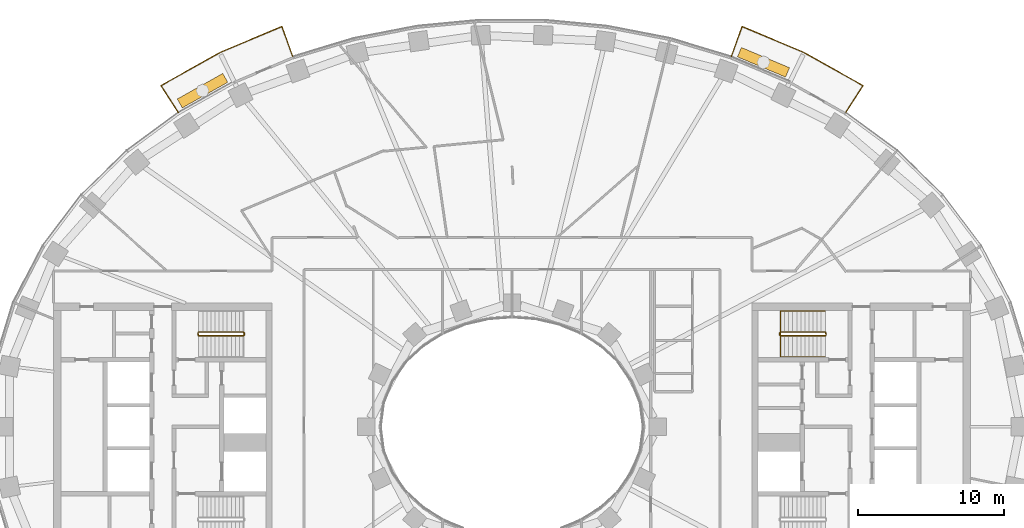
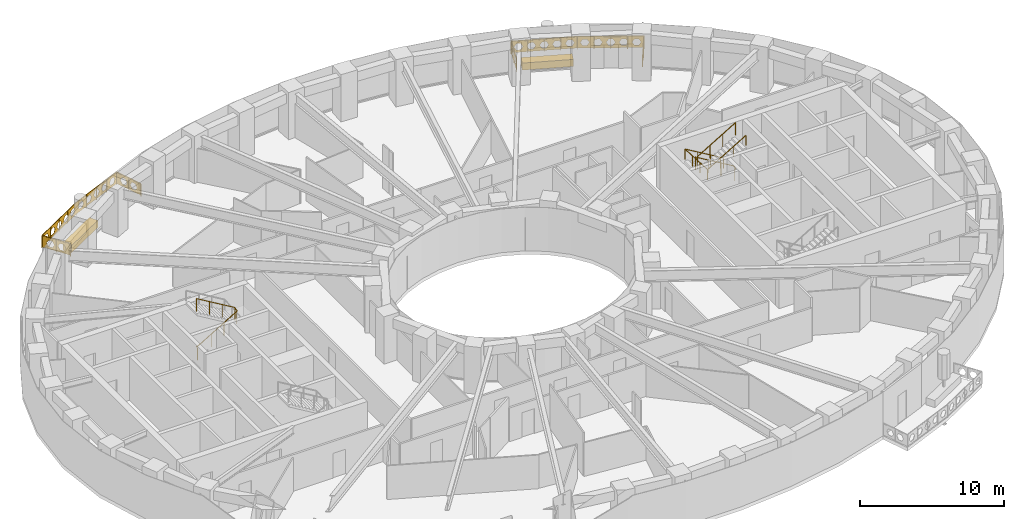
# One storey, part 14 of 15: 5 railings, 2 coverings.
"""IFC4 building model written with IfcOpenShell, lengths in metres."""

from ifc_helpers import new_model, si_unit, direction, frame, origin, origin_2d, place, context, subcontext, project, spatial, polyline, rectangle, outline, extrude, material, type_object, element, save


model = new_model("IFC4")

# Units and contexts
model_context = context("Model", 3, precision=1e-05, world=origin(), true_north=direction((0.0, 1.0)))
body_context = subcontext(model_context, "Body", "Model", "MODEL_VIEW")
ifc_project = project(units=[si_unit("LENGTHUNIT", "METRE"), si_unit("AREAUNIT", "SQUARE_METRE"), si_unit("VOLUMEUNIT", "CUBIC_METRE"), si_unit("PLANEANGLEUNIT", "RADIAN"), si_unit("MASSUNIT", "GRAM", prefix="KILO")], contexts=[model_context])

# Site, building, storey
site_placement = place(None, origin())
site = spatial("IfcSite", under=ifc_project, at=site_placement, CompositionType="ELEMENT")
building_placement = place(site_placement, origin())
building = spatial("IfcBuilding", under=site, at=building_placement, Name="Noorbagh Ring Tower", CompositionType="ELEMENT")
storey_placement = place(building_placement, frame((0.0, 0.0, 92.0)))
storey = spatial("IfcBuildingStorey", under=building, at=storey_placement, Name="L20", CompositionType="ELEMENT", Elevation=92.0)

# Railings
ifc_material_1 = material(Name="Stainless steel", Category="steel")
railing_type_1 = type_object("IfcRailingType", Name="CORE-STAIR-GUARD", PredefinedType="GUARDRAIL", material=ifc_material_1)
railing_1_placement = place(storey_placement, frame((-21.580078125, 6.300048828125, 0.0)))
element("IfcRailing", 1, at=railing_1_placement, inside=storey, type_object=railing_type_1, Name="L20 ST1 stair guard", PredefinedType="GUARDRAIL", context=body_context, shape_type="SweptSolid", body=[
    extrude(rectangle(XDim=0.048095703125, YDim=0.048095703125, at=origin_2d()), frame((0.0, 0.0, 1.076171875), z_axis=(0.0, 1.0, 0.0), x_axis=(-1.0, 0.0, 0.0)), (0.0, 0.0, 1.0), 0.14990234375),
    extrude(rectangle(XDim=0.048095703125, YDim=0.048095703125, at=origin_2d()), frame((0.0, 0.14990234375, 1.076171875), z_axis=(0.188775798145, -0.754182335027, 0.628945707965), x_axis=(0.970072785993, 0.242814311512, 0.0)), (0.0, 0.0, 1.0), 0.26513671875),
    extrude(rectangle(XDim=0.048095703125, YDim=0.048095703125, at=origin_2d()), frame((0.050048828125, -0.050048828125, 1.24267578125), z_axis=(0.859308565015, 0.0, 0.511457515432), x_axis=(0.0, 1.0, 0.0)), (0.0, 0.0, 1.0), 3.58447265625),
    extrude(rectangle(XDim=0.048095703125, YDim=0.048095703125, at=origin_2d()), frame((3.130126953125, -0.050048828125, 3.076171875), z_axis=(0.707106781187, 0.707106781187, 0.0), x_axis=(-0.707106781187, 0.707106781187, 0.0)), (0.0, 0.0, 1.0), 0.07080078125),
    extrude(rectangle(XDim=0.048095703125, YDim=0.048095703125, at=origin_2d()), frame((3.18017578125, 0.0, 3.076171875), z_axis=(0.0, 1.0, 0.0), x_axis=(-1.0, 0.0, 0.0)), (0.0, 0.0, 1.0), 0.14990234375),
    extrude(rectangle(XDim=0.048095703125, YDim=0.048095703125, at=origin_2d()), frame((3.18017578125, 0.14990234375, 3.076171875), z_axis=(-0.27628659633, 0.27628659633, 0.920506074601), x_axis=(-0.707106781187, -0.707106781187, 0.0)), (0.0, 0.0, 1.0), 0.18115234375),
    extrude(rectangle(XDim=0.048095703125, YDim=0.048095703125, at=origin_2d()), frame((3.130126953125, 0.199951171875, 3.24267578125), z_axis=(-0.859308565015, 0.0, 0.511457515432), x_axis=(0.0, -1.0, 0.0)), (0.0, 0.0, 1.0), 3.58447265625),
    extrude(rectangle(XDim=0.0419921875, YDim=0.0419921875, at=origin_2d()), origin(), (0.0, 0.0, 1.0), 1.052001953125),
    extrude(rectangle(XDim=0.0419921875, YDim=0.0419921875, at=origin_2d()), frame((1.07666015625, -0.050048828125, 0.77783203125)), (0.0, 0.0, 1.0), 1.052001953125),
    extrude(rectangle(XDim=0.0419921875, YDim=0.0419921875, at=origin_2d()), frame((2.103515625, -0.050048828125, 1.388916015625)), (0.0, 0.0, 1.0), 1.052001953125),
    extrude(rectangle(XDim=0.0419921875, YDim=0.0419921875, at=origin_2d()), frame((3.130126953125, -0.050048828125, 2.0)), (0.0, 0.0, 1.0), 1.052001953125),
    extrude(rectangle(XDim=0.0419921875, YDim=0.0419921875, at=origin_2d()), frame((3.130126953125, 0.199951171875, 2.166748046875)), (0.0, 0.0, 1.0), 1.052001953125),
    extrude(rectangle(XDim=0.0419921875, YDim=0.0419921875, at=origin_2d()), frame((2.103515625, 0.199951171875, 2.77783203125)), (0.0, 0.0, 1.0), 1.052001953125),
    extrude(rectangle(XDim=0.0419921875, YDim=0.0419921875, at=origin_2d()), frame((1.07666015625, 0.199951171875, 3.388916015625)), (0.0, 0.0, 1.0), 1.052001953125),
    extrude(rectangle(XDim=0.0419921875, YDim=0.0419921875, at=origin_2d()), frame((0.050048828125, 0.199951171875, 4.0)), (0.0, 0.0, 1.0), 1.052001953125),
])
railing_2_placement = place(storey_placement, frame((21.580078125, 6.449951171875, 0.0)))
element("IfcRailing", 2, at=railing_2_placement, inside=storey, type_object=railing_type_1, Name="L20 ST3 stair guard", PredefinedType="GUARDRAIL", context=body_context, shape_type="SweptSolid", body=[
    extrude(rectangle(XDim=0.048095703125, YDim=0.048095703125, at=origin_2d()), frame((0.0, 0.0, 1.076171875), z_axis=(0.0, -1.0, 0.0), x_axis=(1.0, 0.0, 0.0)), (0.0, 0.0, 1.0), 0.14990234375),
    extrude(rectangle(XDim=0.048095703125, YDim=0.048095703125, at=origin_2d()), frame((0.0, -0.14990234375, 1.076171875), z_axis=(-0.188775798145, 0.754182335027, 0.628945707965), x_axis=(-0.970072785993, -0.242814311512, 0.0)), (0.0, 0.0, 1.0), 0.26513671875),
    extrude(rectangle(XDim=0.048095703125, YDim=0.048095703125, at=origin_2d()), frame((-0.050048828125, 0.050048828125, 1.24267578125), z_axis=(-0.859308565015, 0.0, 0.511457515432), x_axis=(0.0, -1.0, 0.0)), (0.0, 0.0, 1.0), 3.58447265625),
    extrude(rectangle(XDim=0.048095703125, YDim=0.048095703125, at=origin_2d()), frame((-3.130126953125, 0.050048828125, 3.076171875), z_axis=(-0.707106781187, -0.707106781187, 0.0), x_axis=(0.707106781187, -0.707106781187, 0.0)), (0.0, 0.0, 1.0), 0.07080078125),
    extrude(rectangle(XDim=0.048095703125, YDim=0.048095703125, at=origin_2d()), frame((-3.18017578125, 0.0, 3.076171875), z_axis=(0.0, -1.0, 0.0), x_axis=(1.0, 0.0, 0.0)), (0.0, 0.0, 1.0), 0.14990234375),
    extrude(rectangle(XDim=0.048095703125, YDim=0.048095703125, at=origin_2d()), frame((-3.18017578125, -0.14990234375, 3.076171875), z_axis=(0.27628659633, -0.27628659633, 0.920506074601), x_axis=(0.707106781187, 0.707106781187, 0.0)), (0.0, 0.0, 1.0), 0.18115234375),
    extrude(rectangle(XDim=0.048095703125, YDim=0.048095703125, at=origin_2d()), frame((-3.130126953125, -0.199951171875, 3.24267578125), z_axis=(0.859308565015, 0.0, 0.511457515432), x_axis=(0.0, 1.0, 0.0)), (0.0, 0.0, 1.0), 3.58447265625),
    extrude(rectangle(XDim=0.0419921875, YDim=0.0419921875, at=origin_2d()), origin(), (0.0, 0.0, 1.0), 1.052001953125),
    extrude(rectangle(XDim=0.0419921875, YDim=0.0419921875, at=origin_2d()), frame((-1.07666015625, 0.050048828125, 0.77783203125)), (0.0, 0.0, 1.0), 1.052001953125),
    extrude(rectangle(XDim=0.0419921875, YDim=0.0419921875, at=origin_2d()), frame((-2.103515625, 0.050048828125, 1.388916015625)), (0.0, 0.0, 1.0), 1.052001953125),
    extrude(rectangle(XDim=0.0419921875, YDim=0.0419921875, at=origin_2d()), frame((-3.130126953125, 0.050048828125, 2.0)), (0.0, 0.0, 1.0), 1.052001953125),
    extrude(rectangle(XDim=0.0419921875, YDim=0.0419921875, at=origin_2d()), frame((-3.130126953125, -0.199951171875, 2.166748046875)), (0.0, 0.0, 1.0), 1.052001953125),
    extrude(rectangle(XDim=0.0419921875, YDim=0.0419921875, at=origin_2d()), frame((-2.103515625, -0.199951171875, 2.77783203125)), (0.0, 0.0, 1.0), 1.052001953125),
    extrude(rectangle(XDim=0.0419921875, YDim=0.0419921875, at=origin_2d()), frame((-1.07666015625, -0.199951171875, 3.388916015625)), (0.0, 0.0, 1.0), 1.052001953125),
    extrude(rectangle(XDim=0.0419921875, YDim=0.0419921875, at=origin_2d()), frame((-0.050048828125, -0.199951171875, 4.0)), (0.0, 0.0, 1.0), 1.052001953125),
])
ifc_material_2 = material(Name="Stainless steel", Category="steel")
railing_type_2 = type_object("IfcRailingType", Name="CORE-STAIR-HANDRAIL", PredefinedType="HANDRAIL", material=ifc_material_2)
railing_3_placement = place(storey_placement, frame((21.530029296875, 7.949951171875, 0.166748046875)))
element("IfcRailing", 3, at=railing_3_placement, inside=storey, type_object=railing_type_2, Name="L20 ST3 stair handrail", PredefinedType="HANDRAIL", context=body_context, shape_type="SweptSolid", body=[
    extrude(rectangle(XDim=0.048095703125, YDim=0.048095703125, at=origin_2d()), frame((0.0, 0.0, 0.8759765625), z_axis=(-0.859308565015, 0.0, 0.511457515432), x_axis=(0.0, -1.0, 0.0)), (0.0, 0.0, 1.0), 3.58447265625),
    extrude(rectangle(XDim=0.048095703125, YDim=0.048095703125, at=origin_2d()), frame((-3.080078125, 0.0, 2.708984375), z_axis=(0.0, -0.998601747152, 0.052863509014), x_axis=(1.0, 0.0, 0.0)), (0.0, 0.0, 1.0), 3.154296875),
    extrude(rectangle(XDim=0.048095703125, YDim=0.048095703125, at=origin_2d()), frame((-3.080078125, -3.14990234375, 2.8759765625), z_axis=(0.859308565015, 0.0, 0.511457515432), x_axis=(0.0, 1.0, 0.0)), (0.0, 0.0, 1.0), 3.58447265625),
    extrude(rectangle(XDim=0.0419921875, YDim=0.0419921875, at=origin_2d()), origin(), (0.0, 0.0, 1.0), 0.851806640625),
    extrude(rectangle(XDim=0.0419921875, YDim=0.0419921875, at=origin_2d()), frame((-1.026611328125, 0.0, 0.611083984375)), (0.0, 0.0, 1.0), 0.851806640625),
    extrude(rectangle(XDim=0.0419921875, YDim=0.0419921875, at=origin_2d()), frame((-2.053466796875, 0.0, 1.22216796875)), (0.0, 0.0, 1.0), 0.851806640625),
    extrude(rectangle(XDim=0.0419921875, YDim=0.0419921875, at=origin_2d()), frame((-3.080078125, 0.0, 1.833251953125)), (0.0, 0.0, 1.0), 0.851806640625),
    extrude(rectangle(XDim=0.0419921875, YDim=0.0419921875, at=origin_2d()), frame((-3.080078125, -1.050048828125, 1.888916015625)), (0.0, 0.0, 1.0), 0.851806640625),
    extrude(rectangle(XDim=0.0419921875, YDim=0.0419921875, at=origin_2d()), frame((-3.080078125, -2.099853515625, 1.9443359375)), (0.0, 0.0, 1.0), 0.851806640625),
    extrude(rectangle(XDim=0.0419921875, YDim=0.0419921875, at=origin_2d()), frame((-3.080078125, -3.14990234375, 2.0)), (0.0, 0.0, 1.0), 0.851806640625),
    extrude(rectangle(XDim=0.0419921875, YDim=0.0419921875, at=origin_2d()), frame((-2.053466796875, -3.14990234375, 2.611083984375)), (0.0, 0.0, 1.0), 0.851806640625),
    extrude(rectangle(XDim=0.0419921875, YDim=0.0419921875, at=origin_2d()), frame((-1.026611328125, -3.14990234375, 3.22216796875)), (0.0, 0.0, 1.0), 0.851806640625),
    extrude(rectangle(XDim=0.0419921875, YDim=0.0419921875, at=origin_2d()), frame((0.0, -3.14990234375, 3.833251953125)), (0.0, 0.0, 1.0), 0.851806640625),
])
ifc_material_3 = material(Name="Steel S275 black powder-coated", Category="steel")
railing_type_3 = type_object("IfcRailingType", Name="ENV-GUARD", PredefinedType="GUARDRAIL", material=ifc_material_3)
railing_4_placement = place(storey_placement, frame((22.9326171875, 21.583740234375, 0.0)))
element("IfcRailing", 4, at=railing_4_placement, inside=storey, type_object=railing_type_3, Name="Balcony guard BN02", PredefinedType="GUARDRAIL", context=body_context, shape_type="SweptSolid", body=[
    extrude(rectangle(XDim=0.048095703125, YDim=0.048095703125, at=origin_2d()), frame((0.0, 0.0, 1.076171875), z_axis=(0.542268136821, 0.840205491406, 0.0), x_axis=(-0.840205491406, 0.542268136821, 0.0)), (0.0, 0.0, 1.0), 2.204345703125),
    extrude(rectangle(XDim=0.048095703125, YDim=0.048095703125, at=origin_2d()), frame((1.1953125, 1.85205078125, 1.076171875), z_axis=(-0.872052247658, 0.489412788303, 0.0), x_axis=(-0.489412788303, -0.872052247658, 0.0)), (0.0, 0.0, 1.0), 4.646240234375),
    extrude(rectangle(XDim=0.048095703125, YDim=0.048095703125, at=origin_2d()), frame((-2.8564453125, 4.1259765625, 1.076171875), z_axis=(-0.921809087722, 0.387644174203, 0.0), x_axis=(-0.387644174203, -0.921809087722, 0.0)), (0.0, 0.0, 1.0), 4.627197265625),
    extrude(rectangle(XDim=0.048095703125, YDim=0.048095703125, at=origin_2d()), frame((-7.121826171875, 5.919677734375, 1.076171875), z_axis=(-0.338350546839, -0.941020141896, 0.0), x_axis=(0.941020141896, -0.338350546839, 0.0)), (0.0, 0.0, 1.0), 2.202880859375),
    extrude(rectangle(XDim=0.0419921875, YDim=0.0419921875, at=origin_2d()), origin(), (0.0, 0.0, 1.0), 1.052001953125),
    extrude(rectangle(XDim=0.0419921875, YDim=0.0419921875, at=origin_2d()), frame((0.59765625, 0.926025390625, 0.0)), (0.0, 0.0, 1.0), 1.052001953125),
    extrude(rectangle(XDim=0.0419921875, YDim=0.0419921875, at=origin_2d()), frame((1.1953125, 1.85205078125, 0.0)), (0.0, 0.0, 1.0), 1.052001953125),
    extrude(rectangle(XDim=0.0419921875, YDim=0.0419921875, at=origin_2d()), frame((0.182373046875, 2.42041015625, 0.0)), (0.0, 0.0, 1.0), 1.052001953125),
    extrude(rectangle(XDim=0.0419921875, YDim=0.0419921875, at=origin_2d()), frame((-0.83056640625, 2.989013671875, 0.0)), (0.0, 0.0, 1.0), 1.052001953125),
    extrude(rectangle(XDim=0.0419921875, YDim=0.0419921875, at=origin_2d()), frame((-1.843505859375, 3.5576171875, 0.0)), (0.0, 0.0, 1.0), 1.052001953125),
    extrude(rectangle(XDim=0.0419921875, YDim=0.0419921875, at=origin_2d()), frame((-2.8564453125, 4.1259765625, 0.0)), (0.0, 0.0, 1.0), 1.052001953125),
    extrude(rectangle(XDim=0.0419921875, YDim=0.0419921875, at=origin_2d()), frame((-3.9228515625, 4.574462890625, 0.0)), (0.0, 0.0, 1.0), 1.052001953125),
    extrude(rectangle(XDim=0.0419921875, YDim=0.0419921875, at=origin_2d()), frame((-4.9892578125, 5.02294921875, 0.0)), (0.0, 0.0, 1.0), 1.052001953125),
    extrude(rectangle(XDim=0.0419921875, YDim=0.0419921875, at=origin_2d()), frame((-6.055419921875, 5.47119140625, 0.0)), (0.0, 0.0, 1.0), 1.052001953125),
    extrude(rectangle(XDim=0.0419921875, YDim=0.0419921875, at=origin_2d()), frame((-7.121826171875, 5.919677734375, 0.0)), (0.0, 0.0, 1.0), 1.052001953125),
    extrude(rectangle(XDim=0.0419921875, YDim=0.0419921875, at=origin_2d()), frame((-7.49462890625, 4.88330078125, 0.0)), (0.0, 0.0, 1.0), 1.052001953125),
    extrude(rectangle(XDim=0.0419921875, YDim=0.0419921875, at=origin_2d()), frame((-7.8671875, 3.8466796875, 0.0)), (0.0, 0.0, 1.0), 1.052001953125),
    extrude(outline(polyline([(0.0, 0.10009765625), (2.204345703125, 0.10009765625), (2.204345703125, 1.031982421875), (0.0, 1.031982421875), (0.0, 0.10009765625)]), holes=[polyline([(0.962158203125, 0.56591796875), (0.80712890625, 0.83447265625), (0.4970703125, 0.83447265625), (0.342041015625, 0.56591796875), (0.4970703125, 0.297607421875), (0.80712890625, 0.297607421875), (0.962158203125, 0.56591796875)]), polyline([(1.862060546875, 0.56591796875), (1.70703125, 0.83447265625), (1.397216796875, 0.83447265625), (1.2421875, 0.56591796875), (1.397216796875, 0.297607421875), (1.70703125, 0.297607421875), (1.862060546875, 0.56591796875)])]), frame((-0.00830078125, 0.00537109375, 0.0), z_axis=(0.840205491406, -0.542268136821, 0.0), x_axis=(0.542268136821, 0.840205491406, 0.0)), (0.0, 0.0, 1.0), 0.02001953125),
    extrude(outline(polyline([(0.0, 0.10009765625), (4.646240234375, 0.10009765625), (4.646240234375, 1.031982421875), (0.0, 1.031982421875), (0.0, 0.10009765625)]), holes=[polyline([(0.8330078125, 0.56591796875), (0.67822265625, 0.83447265625), (0.3681640625, 0.83447265625), (0.213134765625, 0.56591796875), (0.3681640625, 0.297607421875), (0.67822265625, 0.297607421875), (0.8330078125, 0.56591796875)]), polyline([(1.733154296875, 0.56591796875), (1.578125, 0.83447265625), (1.26806640625, 0.83447265625), (1.113037109375, 0.56591796875), (1.26806640625, 0.297607421875), (1.578125, 0.297607421875), (1.733154296875, 0.56591796875)]), polyline([(2.633056640625, 0.56591796875), (2.47802734375, 0.83447265625), (2.168212890625, 0.83447265625), (2.01318359375, 0.56591796875), (2.168212890625, 0.297607421875), (2.47802734375, 0.297607421875), (2.633056640625, 0.56591796875)]), polyline([(3.533203125, 0.56591796875), (3.378173828125, 0.83447265625), (3.068115234375, 0.83447265625), (2.9130859375, 0.56591796875), (3.068115234375, 0.297607421875), (3.378173828125, 0.297607421875), (3.533203125, 0.56591796875)]), polyline([(4.43310546875, 0.56591796875), (4.278076171875, 0.83447265625), (3.968017578125, 0.83447265625), (3.813232421875, 0.56591796875), (3.968017578125, 0.297607421875), (4.278076171875, 0.297607421875), (4.43310546875, 0.56591796875)])]), frame((1.1904296875, 1.84326171875, 0.0), z_axis=(0.489412788303, 0.872052247658, 0.0), x_axis=(-0.872052247658, 0.489412788303, 0.0)), (0.0, 0.0, 1.0), 0.02001953125),
    extrude(outline(polyline([(0.0, 0.10009765625), (4.627197265625, 0.10009765625), (4.627197265625, 1.031982421875), (0.0, 1.031982421875), (0.0, 0.10009765625)]), holes=[polyline([(0.823486328125, 0.56591796875), (0.668701171875, 0.83447265625), (0.358642578125, 0.83447265625), (0.20361328125, 0.56591796875), (0.358642578125, 0.297607421875), (0.668701171875, 0.297607421875), (0.823486328125, 0.56591796875)]), polyline([(1.7236328125, 0.56591796875), (1.568603515625, 0.83447265625), (1.258544921875, 0.83447265625), (1.103515625, 0.56591796875), (1.258544921875, 0.297607421875), (1.568603515625, 0.297607421875), (1.7236328125, 0.56591796875)]), polyline([(2.62353515625, 0.56591796875), (2.468505859375, 0.83447265625), (2.15869140625, 0.83447265625), (2.003662109375, 0.56591796875), (2.15869140625, 0.297607421875), (2.468505859375, 0.297607421875), (2.62353515625, 0.56591796875)]), polyline([(3.523681640625, 0.56591796875), (3.36865234375, 0.83447265625), (3.05859375, 0.83447265625), (2.903564453125, 0.56591796875), (3.05859375, 0.297607421875), (3.36865234375, 0.297607421875), (3.523681640625, 0.56591796875)]), polyline([(4.423583984375, 0.56591796875), (4.2685546875, 0.83447265625), (3.95849609375, 0.83447265625), (3.8037109375, 0.56591796875), (3.95849609375, 0.297607421875), (4.2685546875, 0.297607421875), (4.423583984375, 0.56591796875)])]), frame((-2.8603515625, 4.11669921875, 0.0), z_axis=(0.387644174203, 0.921809087722, 0.0), x_axis=(-0.921809087722, 0.387644174203, 0.0)), (0.0, 0.0, 1.0), 0.02001953125),
    extrude(outline(polyline([(0.0, 0.10009765625), (2.202880859375, 0.10009765625), (2.202880859375, 1.031982421875), (0.0, 1.031982421875), (0.0, 0.10009765625)]), holes=[polyline([(0.96142578125, 0.56591796875), (0.806396484375, 0.83447265625), (0.49658203125, 0.83447265625), (0.341552734375, 0.56591796875), (0.49658203125, 0.297607421875), (0.806396484375, 0.297607421875), (0.96142578125, 0.56591796875)]), polyline([(1.861572265625, 0.56591796875), (1.70654296875, 0.83447265625), (1.396484375, 0.83447265625), (1.241455078125, 0.56591796875), (1.396484375, 0.297607421875), (1.70654296875, 0.297607421875), (1.861572265625, 0.56591796875)])]), frame((-7.1123046875, 5.916259765625, 0.0), z_axis=(-0.941020141896, 0.338350546839, 0.0), x_axis=(-0.338350546839, -0.941020141896, 0.0)), (0.0, 0.0, 1.0), 0.02001953125),
])
railing_5_placement = place(storey_placement, frame((-15.0654296875, 25.430419921875, 0.0)))
element("IfcRailing", 5, at=railing_5_placement, inside=storey, type_object=railing_type_3, Name="Balcony guard BN05", PredefinedType="GUARDRAIL", context=body_context, shape_type="SweptSolid", body=[
    extrude(rectangle(XDim=0.048095703125, YDim=0.048095703125, at=origin_2d()), frame((0.0, 0.0, 1.076171875), z_axis=(-0.338350546839, 0.941020141896, 0.0), x_axis=(-0.941020141896, -0.338350546839, 0.0)), (0.0, 0.0, 1.0), 2.202880859375),
    extrude(rectangle(XDim=0.048095703125, YDim=0.048095703125, at=origin_2d()), frame((-0.745361328125, 2.072998046875, 1.076171875), z_axis=(-0.921809087722, -0.387644174203, 0.0), x_axis=(0.387644174203, -0.921809087722, 0.0)), (0.0, 0.0, 1.0), 4.627197265625),
    extrude(rectangle(XDim=0.048095703125, YDim=0.048095703125, at=origin_2d()), frame((-5.0107421875, 0.279296875, 1.076171875), z_axis=(-0.872052247658, -0.489412788303, 0.0), x_axis=(0.489412788303, -0.872052247658, 0.0)), (0.0, 0.0, 1.0), 4.646240234375),
    extrude(rectangle(XDim=0.048095703125, YDim=0.048095703125, at=origin_2d()), frame((-9.0625, -1.99462890625, 1.076171875), z_axis=(0.542268136821, -0.840205491406, 0.0), x_axis=(0.840205491406, 0.542268136821, 0.0)), (0.0, 0.0, 1.0), 2.204345703125),
    extrude(rectangle(XDim=0.0419921875, YDim=0.0419921875, at=origin_2d()), origin(), (0.0, 0.0, 1.0), 1.052001953125),
    extrude(rectangle(XDim=0.0419921875, YDim=0.0419921875, at=origin_2d()), frame((-0.37255859375, 1.03662109375, 0.0)), (0.0, 0.0, 1.0), 1.052001953125),
    extrude(rectangle(XDim=0.0419921875, YDim=0.0419921875, at=origin_2d()), frame((-0.745361328125, 2.072998046875, 0.0)), (0.0, 0.0, 1.0), 1.052001953125),
    extrude(rectangle(XDim=0.0419921875, YDim=0.0419921875, at=origin_2d()), frame((-1.811767578125, 1.62451171875, 0.0)), (0.0, 0.0, 1.0), 1.052001953125),
    extrude(rectangle(XDim=0.0419921875, YDim=0.0419921875, at=origin_2d()), frame((-2.8779296875, 1.17626953125, 0.0)), (0.0, 0.0, 1.0), 1.052001953125),
    extrude(rectangle(XDim=0.0419921875, YDim=0.0419921875, at=origin_2d()), frame((-3.9443359375, 0.727783203125, 0.0)), (0.0, 0.0, 1.0), 1.052001953125),
    extrude(rectangle(XDim=0.0419921875, YDim=0.0419921875, at=origin_2d()), frame((-5.0107421875, 0.279296875, 0.0)), (0.0, 0.0, 1.0), 1.052001953125),
    extrude(rectangle(XDim=0.0419921875, YDim=0.0419921875, at=origin_2d()), frame((-6.023681640625, -0.2890625, 0.0)), (0.0, 0.0, 1.0), 1.052001953125),
    extrude(rectangle(XDim=0.0419921875, YDim=0.0419921875, at=origin_2d()), frame((-7.03662109375, -0.857666015625, 0.0)), (0.0, 0.0, 1.0), 1.052001953125),
    extrude(rectangle(XDim=0.0419921875, YDim=0.0419921875, at=origin_2d()), frame((-8.049560546875, -1.42626953125, 0.0)), (0.0, 0.0, 1.0), 1.052001953125),
    extrude(rectangle(XDim=0.0419921875, YDim=0.0419921875, at=origin_2d()), frame((-9.0625, -1.99462890625, 0.0)), (0.0, 0.0, 1.0), 1.052001953125),
    extrude(rectangle(XDim=0.0419921875, YDim=0.0419921875, at=origin_2d()), frame((-8.46484375, -2.920654296875, 0.0)), (0.0, 0.0, 1.0), 1.052001953125),
    extrude(rectangle(XDim=0.0419921875, YDim=0.0419921875, at=origin_2d()), frame((-7.8671875, -3.8466796875, 0.0)), (0.0, 0.0, 1.0), 1.052001953125),
    extrude(outline(polyline([(0.0, 0.10009765625), (2.202880859375, 0.10009765625), (2.202880859375, 1.031982421875), (0.0, 1.031982421875), (0.0, 0.10009765625)]), holes=[polyline([(0.96142578125, 0.56591796875), (0.806396484375, 0.83447265625), (0.49658203125, 0.83447265625), (0.341552734375, 0.56591796875), (0.49658203125, 0.297607421875), (0.806396484375, 0.297607421875), (0.96142578125, 0.56591796875)]), polyline([(1.861572265625, 0.56591796875), (1.70654296875, 0.83447265625), (1.396484375, 0.83447265625), (1.241455078125, 0.56591796875), (1.396484375, 0.297607421875), (1.70654296875, 0.297607421875), (1.861572265625, 0.56591796875)])]), frame((-0.009521484375, -0.00341796875, 0.0), z_axis=(0.941020141896, 0.338350546839, 0.0), x_axis=(-0.338350546839, 0.941020141896, 0.0)), (0.0, 0.0, 1.0), 0.02001953125),
    extrude(outline(polyline([(0.0, 0.10009765625), (4.627197265625, 0.10009765625), (4.627197265625, 1.031982421875), (0.0, 1.031982421875), (0.0, 0.10009765625)]), holes=[polyline([(0.823486328125, 0.56591796875), (0.668701171875, 0.83447265625), (0.358642578125, 0.83447265625), (0.20361328125, 0.56591796875), (0.358642578125, 0.297607421875), (0.668701171875, 0.297607421875), (0.823486328125, 0.56591796875)]), polyline([(1.7236328125, 0.56591796875), (1.568603515625, 0.83447265625), (1.258544921875, 0.83447265625), (1.103515625, 0.56591796875), (1.258544921875, 0.297607421875), (1.568603515625, 0.297607421875), (1.7236328125, 0.56591796875)]), polyline([(2.62353515625, 0.56591796875), (2.468505859375, 0.83447265625), (2.15869140625, 0.83447265625), (2.003662109375, 0.56591796875), (2.15869140625, 0.297607421875), (2.468505859375, 0.297607421875), (2.62353515625, 0.56591796875)]), polyline([(3.523681640625, 0.56591796875), (3.36865234375, 0.83447265625), (3.05859375, 0.83447265625), (2.903564453125, 0.56591796875), (3.05859375, 0.297607421875), (3.36865234375, 0.297607421875), (3.523681640625, 0.56591796875)]), polyline([(4.423583984375, 0.56591796875), (4.2685546875, 0.83447265625), (3.95849609375, 0.83447265625), (3.8037109375, 0.56591796875), (3.95849609375, 0.297607421875), (4.2685546875, 0.297607421875), (4.423583984375, 0.56591796875)])]), frame((-0.741455078125, 2.063720703125, 0.0), z_axis=(-0.387644174203, 0.921809087722, 0.0), x_axis=(-0.921809087722, -0.387644174203, 0.0)), (0.0, 0.0, 1.0), 0.02001953125),
    extrude(outline(polyline([(0.0, 0.10009765625), (4.646240234375, 0.10009765625), (4.646240234375, 1.031982421875), (0.0, 1.031982421875), (0.0, 0.10009765625)]), holes=[polyline([(0.8330078125, 0.56591796875), (0.67822265625, 0.83447265625), (0.3681640625, 0.83447265625), (0.213134765625, 0.56591796875), (0.3681640625, 0.297607421875), (0.67822265625, 0.297607421875), (0.8330078125, 0.56591796875)]), polyline([(1.733154296875, 0.56591796875), (1.578125, 0.83447265625), (1.26806640625, 0.83447265625), (1.113037109375, 0.56591796875), (1.26806640625, 0.297607421875), (1.578125, 0.297607421875), (1.733154296875, 0.56591796875)]), polyline([(2.633056640625, 0.56591796875), (2.47802734375, 0.83447265625), (2.168212890625, 0.83447265625), (2.01318359375, 0.56591796875), (2.168212890625, 0.297607421875), (2.47802734375, 0.297607421875), (2.633056640625, 0.56591796875)]), polyline([(3.533203125, 0.56591796875), (3.378173828125, 0.83447265625), (3.068115234375, 0.83447265625), (2.9130859375, 0.56591796875), (3.068115234375, 0.297607421875), (3.378173828125, 0.297607421875), (3.533203125, 0.56591796875)]), polyline([(4.43310546875, 0.56591796875), (4.278076171875, 0.83447265625), (3.968017578125, 0.83447265625), (3.813232421875, 0.56591796875), (3.968017578125, 0.297607421875), (4.278076171875, 0.297607421875), (4.43310546875, 0.56591796875)])]), frame((-5.005859375, 0.2705078125, 0.0), z_axis=(-0.489412788303, 0.872052247658, 0.0), x_axis=(-0.872052247658, -0.489412788303, 0.0)), (0.0, 0.0, 1.0), 0.02001953125),
    extrude(outline(polyline([(0.0, 0.10009765625), (2.204345703125, 0.10009765625), (2.204345703125, 1.031982421875), (0.0, 1.031982421875), (0.0, 0.10009765625)]), holes=[polyline([(0.962158203125, 0.56591796875), (0.80712890625, 0.83447265625), (0.4970703125, 0.83447265625), (0.342041015625, 0.56591796875), (0.4970703125, 0.297607421875), (0.80712890625, 0.297607421875), (0.962158203125, 0.56591796875)]), polyline([(1.862060546875, 0.56591796875), (1.70703125, 0.83447265625), (1.397216796875, 0.83447265625), (1.2421875, 0.56591796875), (1.397216796875, 0.297607421875), (1.70703125, 0.297607421875), (1.862060546875, 0.56591796875)])]), frame((-9.05419921875, -1.9892578125, 0.0), z_axis=(-0.840205491406, -0.542268136821, 0.0), x_axis=(0.542268136821, -0.840205491406, 0.0)), (0.0, 0.0, 1.0), 0.02001953125),
])

# Coverings
ifc_material_4 = material(Name="Concrete C30/37 planter with soil", Category="concrete")
covering_type = type_object("IfcCoveringType", Name="ENV-PLANTER", PredefinedType="CLADDING", material=ifc_material_4)
covering_1_placement = place(storey_placement, frame((17.280517578125, 25.041259765625, 0.0), z_axis=(0.0, 0.0, 1.0), x_axis=(-0.921811566494, 0.387638279686, 0.0)))
element("IfcCovering", 6, at=covering_1_placement, inside=storey, type_object=covering_type, Name="PLANTER BN02", ObjectType="PLANTER", PredefinedType="CLADDING", context=body_context, shape_type="SweptSolid", body=[
    extrude(rectangle(XDim=3.5859375, YDim=0.699951171875, at=origin_2d()), origin(), (0.0, 0.0, 1.0), 0.60009765625),
])
covering_2_placement = place(storey_placement, frame((-21.26513671875, 23.093017578125, 0.0), z_axis=(0.0, 0.0, 1.0), x_axis=(-0.872044586249, -0.48942643941, 0.0)))
element("IfcCovering", 7, at=covering_2_placement, inside=storey, type_object=covering_type, Name="PLANTER BN05", ObjectType="PLANTER", PredefinedType="CLADDING", context=body_context, shape_type="SweptSolid", body=[
    extrude(rectangle(XDim=3.58544921875, YDim=0.699951171875, at=origin_2d()), origin(), (0.0, 0.0, 1.0), 0.60009765625),
])

save(model, "model.ifc")
